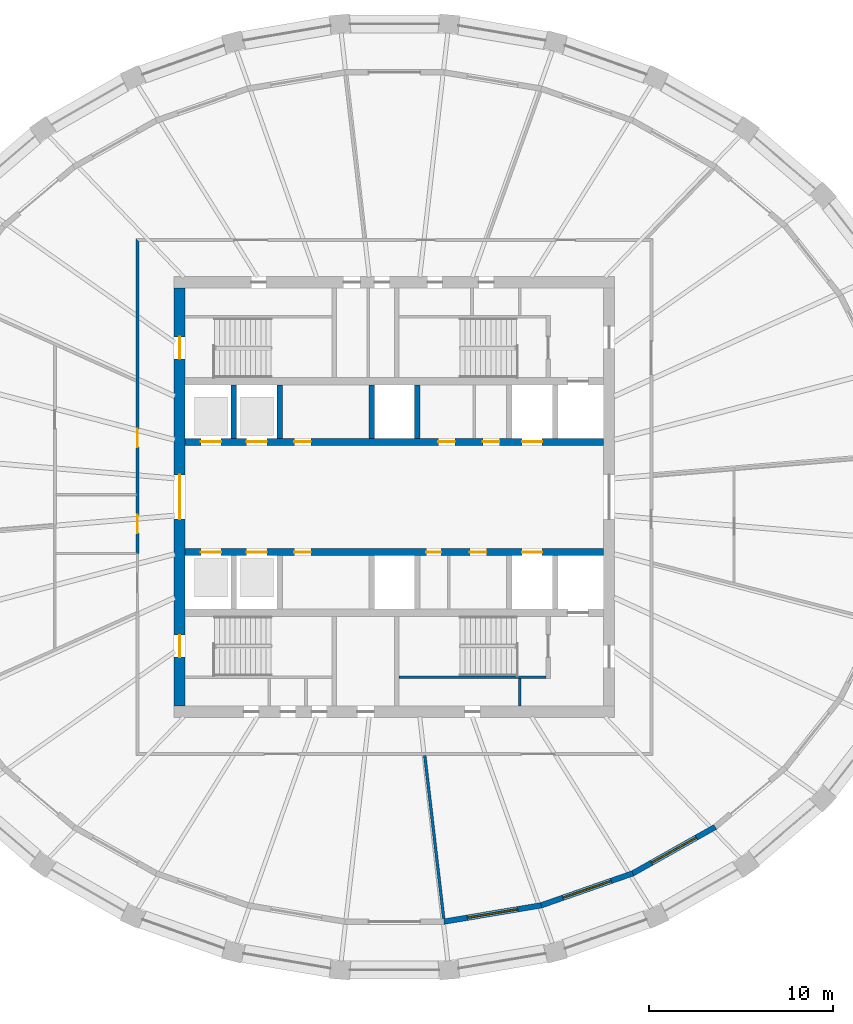
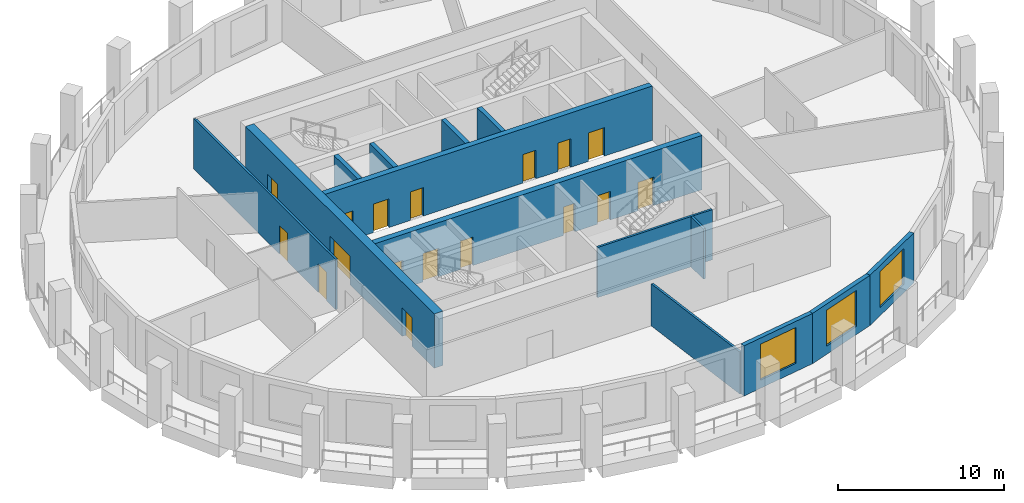
# One storey, part 4 of 10: 17 doors, 14 walls, 3 windows, 20 openings.
"""IFC4 building model written with IfcOpenShell, lengths in metres."""

from ifc_helpers import new_model, si_unit, direction, frame, frame_2d, origin, place, context, subcontext, project, spatial, polyline, rectangle, outline, extrude, material, layer, layer_set, type_object, element, fill, save


model = new_model("IFC4")

# Units and contexts
model_context = context("Model", 3, precision=1e-05, world=origin(), true_north=direction((0.0, 1.0)))
body_context = subcontext(model_context, "Body", "Model", "MODEL_VIEW")
ifc_project = project(units=[si_unit("LENGTHUNIT", "METRE"), si_unit("AREAUNIT", "SQUARE_METRE"), si_unit("VOLUMEUNIT", "CUBIC_METRE"), si_unit("PLANEANGLEUNIT", "RADIAN"), si_unit("MASSUNIT", "GRAM", prefix="KILO")], contexts=[model_context])

# Site, building, storey
site_placement = place(None, origin())
site = spatial("IfcSite", under=ifc_project, at=site_placement, CompositionType="ELEMENT")
building_placement = place(site_placement, origin())
building = spatial("IfcBuilding", under=site, at=building_placement, Name="Halqa Exchange Tower", CompositionType="ELEMENT")
storey_placement = place(building_placement, frame((0.0, 0.0, 260.300048828125)))
storey = spatial("IfcBuildingStorey", under=building, at=storey_placement, Name="L60", CompositionType="ELEMENT", Elevation=260.300048828125)

# Wall, openings, doors
ifc_material_1 = material(Name="Fire-rated gypsum board")
ifc_layer_1 = layer(ifc_material_1, 0.14990234375)
ifc_layer_set_1 = layer_set([ifc_layer_1], Name="Fire-rated gypsum board")
wall_type_1 = type_object("IfcWallType", Name="Fire partition EI 60 150", PredefinedType="PARTITIONING", material=ifc_layer_set_1)
wall_1_placement = place(storey_placement, frame((-14.0, -3.080078125, 0.0), z_axis=(0.0, 0.0, 1.0), x_axis=(0.0, 1.0, 0.0)))
wall_1 = element("IfcWall", 1, at=wall_1_placement, inside=storey, type_object=wall_type_1, Name="L60-PWL-010", PredefinedType="PARTITIONING", context=body_context, shape_type="SweptSolid", body=[
    extrude(outline(polyline([(0.0, -0.074951171875), (1.889404296875, -0.074951171875), (3.77880859375, -0.074951171875), (5.66845703125, -0.074951171875), (7.557861328125, -0.074951171875), (9.447265625, -0.074951171875), (11.336669921875, -0.074951171875), (13.226318359375, -0.074951171875), (15.11572265625, -0.074951171875), (17.005126953125, -0.074951171875), (17.155029296875, 0.074951171875), (15.2490234375, 0.074951171875), (13.3427734375, 0.074951171875), (11.436767578125, 0.074951171875), (9.530517578125, 0.074951171875), (7.62451171875, 0.074951171875), (5.71826171875, 0.074951171875), (3.812255859375, 0.074951171875), (1.906005859375, 0.074951171875), (0.0, 0.074951171875), (0.0, -0.074951171875)])), origin(), (0.0, 0.0, 1.0), 3.699951171875),
])
opening_1_placement = place(wall_1_placement, frame((5.794921875, 0.0, 0.0)))
opening_1 = element("IfcOpeningElement", 2, at=opening_1_placement, cuts=wall_1, Name="Opening 18-07", PredefinedType="OPENING", context=body_context, shape_type="SweptSolid", body=[
    extrude(rectangle(XDim=1.0, YDim=2.10009765625, at=frame_2d((0.5, 1.050048828125))), frame((0.0, 0.0869140625, 0.0), z_axis=(0.0, -1.0, 0.0), x_axis=(1.0, 0.0, 0.0)), (0.0, 0.0, 1.0), 0.173828125),
])
opening_2_placement = place(wall_1_placement, frame((1.10498046875, 0.0, 0.0)))
opening_2 = element("IfcOpeningElement", 3, at=opening_2_placement, cuts=wall_1, Name="Opening 18-08", PredefinedType="OPENING", context=body_context, shape_type="SweptSolid", body=[
    extrude(rectangle(XDim=1.0, YDim=2.10009765625, at=frame_2d((0.5, 1.050048828125))), frame((0.0, 0.0869140625, 0.0), z_axis=(0.0, -1.0, 0.0), x_axis=(1.0, 0.0, 0.0)), (0.0, 0.0, 1.0), 0.173828125),
])
ifc_material_2 = material(Name="Steel fire door leaf", Category="steel")
door_type_1 = type_object("IfcDoorType", Name="Fire door FD30S 1000 x 2100", OperationType="SINGLE_SWING_LEFT", PredefinedType="DOOR", material=ifc_material_2)
door_1_placement = place(opening_1_placement, origin())
door_1 = element("IfcDoor", 4, at=door_1_placement, inside=storey, type_object=door_type_1, Name="L60-IDR-007", OperationType="SINGLE_SWING_RIGHT", OverallHeight=2.10009765625, OverallWidth=1.0, PredefinedType="DOOR", context=body_context, shape_type="SweptSolid", body=[
    extrude(rectangle(XDim=1.0, YDim=2.10009765625, at=frame_2d((0.5, 1.050048828125))), frame((0.0, 0.02490234375, 0.0), z_axis=(0.0, -1.0, 0.0), x_axis=(1.0, 0.0, 0.0)), (0.0, 0.0, 1.0), 0.050048828125),
])
fill(opening_1, door_1)
door_2_placement = place(opening_2_placement, origin())
door_2 = element("IfcDoor", 5, at=door_2_placement, inside=storey, type_object=door_type_1, Name="L60-IDR-008", OperationType="SINGLE_SWING_LEFT", OverallHeight=2.10009765625, OverallWidth=1.0, PredefinedType="DOOR", context=body_context, shape_type="SweptSolid", body=[
    extrude(rectangle(XDim=1.0, YDim=2.10009765625, at=frame_2d((0.5, 1.050048828125))), frame((0.0, 0.02490234375, 0.0), z_axis=(0.0, -1.0, 0.0), x_axis=(1.0, 0.0, 0.0)), (0.0, 0.0, 1.0), 0.050048828125),
])
fill(opening_2, door_2)

# Walls
wall_2_placement = place(storey_placement, frame((2.68505859375, -22.9794921875, 0.0), z_axis=(0.0, 0.0, 1.0), x_axis=(-0.115608238976, 0.993294888279, 0.0)))
element("IfcWall", 6, at=wall_2_placement, inside=storey, type_object=wall_type_1, Name="L60-PWL-014", PredefinedType="PARTITIONING", context=body_context, shape_type="SweptSolid", body=[
    extrude(outline(polyline([(0.0, -0.074951171875), (1.791259765625, -0.074951171875), (3.582275390625, -0.074951171875), (5.37353515625, -0.074951171875), (7.164794921875, -0.074951171875), (8.955810546875, -0.074951171875), (8.972900390625, 0.0712890625), (8.972900390625, 0.074951171875), (7.17919921875, 0.074951171875), (5.385498046875, 0.074951171875), (3.592041015625, 0.074951171875), (1.79833984375, 0.074951171875), (0.004638671875, 0.074951171875), (0.0, 0.03466796875), (0.0, -0.074951171875)])), origin(), (0.0, 0.0, 1.0), 3.099853515625),
])
ifc_material_3 = material(Name="Gypsum board")
ifc_layer_2 = layer(ifc_material_3, 0.14990234375)
ifc_layer_set_2 = layer_set([ifc_layer_2], Name="Gypsum board")
wall_type_2 = type_object("IfcWallType", Name="Penthouse riser wall 150 gypsum", PredefinedType="PARTITIONING", material=ifc_layer_set_2)
wall_3_placement = place(storey_placement, frame((6.824951171875, -11.39990234375, 0.0), z_axis=(0.0, 0.0, 1.0), x_axis=(0.0, 1.0, 0.0)))
element("IfcWall", 7, at=wall_3_placement, inside=storey, type_object=wall_type_2, Name="Firefighting lobby west wall S", PredefinedType="PARTITIONING", context=body_context, shape_type="SweptSolid", body=[
    extrude(rectangle(XDim=1.5, YDim=0.14990234375, at=frame_2d((0.75, 0.0))), origin(), (0.0, 0.0, 1.0), 3.699951171875),
])
ifc_material_4 = material(Name="Concrete C60/75", Category="concrete")
ifc_layer_3 = layer(ifc_material_4, 0.300048828125)
ifc_layer_set_3 = layer_set([ifc_layer_3], Name="Concrete C60/75")
wall_type_3 = type_object("IfcWallType", Name="RC core wall 300", PredefinedType="SHEAR", material=ifc_layer_set_3)
for number, where, z_axis, x_axis, name in (
    (8, (-8.75, 3.199951171875, 0.0), (0.0, 0.0, 1.0), (0.0, 1.0, 0.0), "Shaft divider N1"),
    (9, (-6.25, 3.199951171875, 0.0), (0.0, 0.0, 1.0), (0.0, 1.0, 0.0), "Shaft divider N2"),
    (10, (-1.25, 3.199951171875, 0.0), (0.0, 0.0, 1.0), (0.0, 1.0, 0.0), "Shaft divider N4"),
    (11, (1.25, 3.199951171875, 0.0), (0.0, 0.0, 1.0), (0.0, 1.0, 0.0), "Shaft divider N5"),
):
    element("IfcWall", number, at=place(storey_placement, frame(where, z_axis=z_axis, x_axis=x_axis)), inside=storey, type_object=wall_type_3, Name=name, PredefinedType="SHEAR", context=body_context, shape_type="SweptSolid", body=[
        extrude(rectangle(XDim=2.900146484375, YDim=0.300048828125, at=frame_2d((1.4501953125, 0.0))), origin(), (0.0, 0.0, 1.0), 4.0),
    ])

# Wall, openings, doors
ifc_layer_4 = layer(ifc_material_4, 0.39990234375)
ifc_layer_set_4 = layer_set([ifc_layer_4], Name="Concrete C60/75")
wall_type_4 = type_object("IfcWallType", Name="RC core wall 400 C60/75", PredefinedType="SHEAR", material=ifc_layer_set_4)
wall_4_placement = place(storey_placement, frame((-11.39990234375, 3.0, 0.0), z_axis=(0.0, 0.0, 1.0), x_axis=(1.0, 0.0, 0.0)))
wall_4 = element("IfcWall", 12, at=wall_4_placement, inside=storey, type_object=wall_type_4, Name="Lift row front wall N", PredefinedType="SHEAR", context=body_context, shape_type="SweptSolid", body=[
    extrude(rectangle(XDim=22.7998046875, YDim=0.39990234375, at=frame_2d((11.39990234375, 0.0))), origin(), (0.0, 0.0, 1.0), 4.0),
])
opening_3_placement = place(wall_4_placement, frame((0.85009765625, 0.0, 0.0)))
opening_3 = element("IfcOpeningElement", 13, at=opening_3_placement, cuts=wall_4, Name="Opening LD-HR1-T18", PredefinedType="OPENING", context=body_context, shape_type="SweptSolid", body=[
    extrude(rectangle(XDim=1.10009765625, YDim=2.10009765625, at=frame_2d((0.550048828125, 1.050048828125))), frame((0.0, 0.2119140625, 0.0), z_axis=(0.0, -1.0, 0.0), x_axis=(1.0, 0.0, 0.0)), (0.0, 0.0, 1.0), 0.423828125),
])
opening_4_placement = place(wall_4_placement, frame((3.35009765625, 0.0, 0.0)))
opening_4 = element("IfcOpeningElement", 14, at=opening_4_placement, cuts=wall_4, Name="Opening LD-HR2-T18", PredefinedType="OPENING", context=body_context, shape_type="SweptSolid", body=[
    extrude(rectangle(XDim=1.10009765625, YDim=2.10009765625, at=frame_2d((0.550048828125, 1.050048828125))), frame((0.0, 0.2119140625, 0.0), z_axis=(0.0, -1.0, 0.0), x_axis=(1.0, 0.0, 0.0)), (0.0, 0.0, 1.0), 0.423828125),
])
opening_5_placement = place(wall_4_placement, frame((18.35009765625, 0.0, 0.0)))
opening_5 = element("IfcOpeningElement", 15, at=opening_5_placement, cuts=wall_4, Name="Opening LD-SV1-T18", PredefinedType="OPENING", context=body_context, shape_type="SweptSolid", body=[
    extrude(rectangle(XDim=1.10009765625, YDim=2.10009765625, at=frame_2d((0.550048828125, 1.050048828125))), frame((0.0, 0.2119140625, 0.0), z_axis=(0.0, -1.0, 0.0), x_axis=(1.0, 0.0, 0.0)), (0.0, 0.0, 1.0), 0.423828125),
])
opening_6_placement = place(wall_4_placement, frame((13.78759765625, 0.0, 0.0)))
opening_6 = element("IfcOpeningElement", 16, at=opening_6_placement, cuts=wall_4, Name="Opening T18-C27", PredefinedType="OPENING", context=body_context, shape_type="SweptSolid", body=[
    extrude(rectangle(XDim=0.89990234375, YDim=2.10009765625, at=frame_2d((0.449951171875, 1.050048828125))), frame((0.0, 0.2119140625, 0.0), z_axis=(0.0, -1.0, 0.0), x_axis=(1.0, 0.0, 0.0)), (0.0, 0.0, 1.0), 0.423828125),
])
opening_7_placement = place(wall_4_placement, frame((16.21240234375, 0.0, 0.0)))
opening_7 = element("IfcOpeningElement", 17, at=opening_7_placement, cuts=wall_4, Name="Opening T18-C28", PredefinedType="OPENING", context=body_context, shape_type="SweptSolid", body=[
    extrude(rectangle(XDim=0.89990234375, YDim=2.10009765625, at=frame_2d((0.449951171875, 1.050048828125))), frame((0.0, 0.2119140625, 0.0), z_axis=(0.0, -1.0, 0.0), x_axis=(1.0, 0.0, 0.0)), (0.0, 0.0, 1.0), 0.423828125),
])
opening_8_placement = place(wall_4_placement, frame((5.949951171875, 0.0, 0.0)))
opening_8 = element("IfcOpeningElement", 18, at=opening_8_placement, cuts=wall_4, Name="Opening T18-C29", PredefinedType="OPENING", context=body_context, shape_type="SweptSolid", body=[
    extrude(rectangle(XDim=0.89990234375, YDim=2.10009765625, at=frame_2d((0.449951171875, 1.050048828125))), frame((0.0, 0.2119140625, 0.0), z_axis=(0.0, -1.0, 0.0), x_axis=(1.0, 0.0, 0.0)), (0.0, 0.0, 1.0), 0.423828125),
])
ifc_material_5 = material(Name="Timber fire door leaf", Category="wood")
door_type_2 = type_object("IfcDoorType", Name="Core room door FD30 900 x 2100", OperationType="SINGLE_SWING_LEFT", PredefinedType="DOOR", material=ifc_material_5)
door_3_placement = place(opening_6_placement, origin())
door_3 = element("IfcDoor", 19, at=door_3_placement, inside=storey, type_object=door_type_2, Name="Core room door", OperationType="SINGLE_SWING_LEFT", OverallHeight=2.10009765625, OverallWidth=0.89990234375, PredefinedType="DOOR", context=body_context, shape_type="SweptSolid", body=[
    extrude(rectangle(XDim=0.89990234375, YDim=2.10009765625, at=frame_2d((0.449951171875, 1.050048828125))), frame((0.0, 0.02490234375, 0.0), z_axis=(0.0, -1.0, 0.0), x_axis=(1.0, 0.0, 0.0)), (0.0, 0.0, 1.0), 0.050048828125),
])
fill(opening_6, door_3)
door_4_placement = place(opening_7_placement, origin())
door_4 = element("IfcDoor", 20, at=door_4_placement, inside=storey, type_object=door_type_2, Name="Core room door", OperationType="SINGLE_SWING_RIGHT", OverallHeight=2.10009765625, OverallWidth=0.89990234375, PredefinedType="DOOR", context=body_context, shape_type="SweptSolid", body=[
    extrude(rectangle(XDim=0.89990234375, YDim=2.10009765625, at=frame_2d((0.449951171875, 1.050048828125))), frame((0.0, 0.02490234375, 0.0), z_axis=(0.0, -1.0, 0.0), x_axis=(1.0, 0.0, 0.0)), (0.0, 0.0, 1.0), 0.050048828125),
])
fill(opening_7, door_4)
door_5_placement = place(opening_8_placement, origin())
door_5 = element("IfcDoor", 21, at=door_5_placement, inside=storey, type_object=door_type_2, Name="Core room door", OperationType="SINGLE_SWING_RIGHT", OverallHeight=2.10009765625, OverallWidth=0.89990234375, PredefinedType="DOOR", context=body_context, shape_type="SweptSolid", body=[
    extrude(rectangle(XDim=0.89990234375, YDim=2.10009765625, at=frame_2d((0.449951171875, 1.050048828125))), frame((0.0, 0.02490234375, 0.0), z_axis=(0.0, -1.0, 0.0), x_axis=(1.0, 0.0, 0.0)), (0.0, 0.0, 1.0), 0.050048828125),
])
fill(opening_8, door_5)
ifc_material_6 = material(Name="Stainless steel", Category="steel")
door_type_3 = type_object("IfcDoorType", Name="Lift landing door 1100 x 2100", OperationType="SLIDING_TO_LEFT", PredefinedType="DOOR", material=ifc_material_6)
door_6_placement = place(opening_3_placement, origin())
door_6 = element("IfcDoor", 22, at=door_6_placement, inside=storey, type_object=door_type_3, Name="Lift landing door HR1", OperationType="SLIDING_TO_LEFT", OverallHeight=2.10009765625, OverallWidth=1.10009765625, PredefinedType="DOOR", context=body_context, shape_type="SweptSolid", body=[
    extrude(rectangle(XDim=1.10009765625, YDim=2.10009765625, at=frame_2d((0.550048828125, 1.050048828125))), frame((0.0, 0.02490234375, 0.0), z_axis=(0.0, -1.0, 0.0), x_axis=(1.0, 0.0, 0.0)), (0.0, 0.0, 1.0), 0.050048828125),
])
fill(opening_3, door_6)
door_7_placement = place(opening_4_placement, origin())
door_7 = element("IfcDoor", 23, at=door_7_placement, inside=storey, type_object=door_type_3, Name="Lift landing door HR2", OperationType="SLIDING_TO_LEFT", OverallHeight=2.10009765625, OverallWidth=1.10009765625, PredefinedType="DOOR", context=body_context, shape_type="SweptSolid", body=[
    extrude(rectangle(XDim=1.10009765625, YDim=2.10009765625, at=frame_2d((0.550048828125, 1.050048828125))), frame((0.0, 0.02490234375, 0.0), z_axis=(0.0, -1.0, 0.0), x_axis=(1.0, 0.0, 0.0)), (0.0, 0.0, 1.0), 0.050048828125),
])
fill(opening_4, door_7)
door_8_placement = place(opening_5_placement, origin())
door_8 = element("IfcDoor", 24, at=door_8_placement, inside=storey, type_object=door_type_3, Name="Lift landing door SV1", OperationType="SLIDING_TO_LEFT", OverallHeight=2.10009765625, OverallWidth=1.10009765625, PredefinedType="DOOR", context=body_context, shape_type="SweptSolid", body=[
    extrude(rectangle(XDim=1.10009765625, YDim=2.10009765625, at=frame_2d((0.550048828125, 1.050048828125))), frame((0.0, 0.02490234375, 0.0), z_axis=(0.0, -1.0, 0.0), x_axis=(1.0, 0.0, 0.0)), (0.0, 0.0, 1.0), 0.050048828125),
])
fill(opening_5, door_8)

wall_5_placement = place(storey_placement, frame((-11.39990234375, -3.0, 0.0), z_axis=(0.0, 0.0, 1.0), x_axis=(1.0, 0.0, 0.0)))
wall_5 = element("IfcWall", 25, at=wall_5_placement, inside=storey, type_object=wall_type_4, Name="Lift row front wall S", PredefinedType="SHEAR", context=body_context, shape_type="SweptSolid", body=[
    extrude(rectangle(XDim=22.7998046875, YDim=0.39990234375, at=frame_2d((11.39990234375, 0.0))), origin(), (0.0, 0.0, 1.0), 4.0),
])
opening_9_placement = place(wall_5_placement, frame((0.85009765625, 0.0, 0.0)))
opening_9 = element("IfcOpeningElement", 26, at=opening_9_placement, cuts=wall_5, Name="Opening LD-HR3-T18", PredefinedType="OPENING", context=body_context, shape_type="SweptSolid", body=[
    extrude(rectangle(XDim=1.10009765625, YDim=2.10009765625, at=frame_2d((0.550048828125, 1.050048828125))), frame((0.0, 0.2119140625, 0.0), z_axis=(0.0, -1.0, 0.0), x_axis=(1.0, 0.0, 0.0)), (0.0, 0.0, 1.0), 0.423828125),
])
opening_10_placement = place(wall_5_placement, frame((3.35009765625, 0.0, 0.0)))
opening_10 = element("IfcOpeningElement", 27, at=opening_10_placement, cuts=wall_5, Name="Opening LD-HR4-T18", PredefinedType="OPENING", context=body_context, shape_type="SweptSolid", body=[
    extrude(rectangle(XDim=1.10009765625, YDim=2.10009765625, at=frame_2d((0.550048828125, 1.050048828125))), frame((0.0, 0.2119140625, 0.0), z_axis=(0.0, -1.0, 0.0), x_axis=(1.0, 0.0, 0.0)), (0.0, 0.0, 1.0), 0.423828125),
])
opening_11_placement = place(wall_5_placement, frame((18.35009765625, 0.0, 0.0)))
opening_11 = element("IfcOpeningElement", 28, at=opening_11_placement, cuts=wall_5, Name="Opening LD-SV2-T18", PredefinedType="OPENING", context=body_context, shape_type="SweptSolid", body=[
    extrude(rectangle(XDim=1.10009765625, YDim=2.10009765625, at=frame_2d((0.550048828125, 1.050048828125))), frame((0.0, 0.2119140625, 0.0), z_axis=(0.0, -1.0, 0.0), x_axis=(1.0, 0.0, 0.0)), (0.0, 0.0, 1.0), 0.423828125),
])
opening_12_placement = place(wall_5_placement, frame((13.137451171875, 0.0, 0.0)))
opening_12 = element("IfcOpeningElement", 29, at=opening_12_placement, cuts=wall_5, Name="Opening T18-C30", PredefinedType="OPENING", context=body_context, shape_type="SweptSolid", body=[
    extrude(rectangle(XDim=0.800048828125, YDim=2.10009765625, at=frame_2d((0.39990234375, 1.050048828125))), frame((0.0, 0.2119140625, 0.0), z_axis=(0.0, -1.0, 0.0), x_axis=(1.0, 0.0, 0.0)), (0.0, 0.0, 1.0), 0.423828125),
])
opening_13_placement = place(wall_5_placement, frame((15.512451171875, 0.0, 0.0)))
opening_13 = element("IfcOpeningElement", 30, at=opening_13_placement, cuts=wall_5, Name="Opening T18-C31", PredefinedType="OPENING", context=body_context, shape_type="SweptSolid", body=[
    extrude(rectangle(XDim=0.89990234375, YDim=2.10009765625, at=frame_2d((0.449951171875, 1.050048828125))), frame((0.0, 0.2119140625, 0.0), z_axis=(0.0, -1.0, 0.0), x_axis=(1.0, 0.0, 0.0)), (0.0, 0.0, 1.0), 0.423828125),
])
opening_14_placement = place(wall_5_placement, frame((5.949951171875, 0.0, 0.0)))
opening_14 = element("IfcOpeningElement", 31, at=opening_14_placement, cuts=wall_5, Name="Opening T18-C32", PredefinedType="OPENING", context=body_context, shape_type="SweptSolid", body=[
    extrude(rectangle(XDim=0.89990234375, YDim=2.10009765625, at=frame_2d((0.449951171875, 1.050048828125))), frame((0.0, 0.2119140625, 0.0), z_axis=(0.0, -1.0, 0.0), x_axis=(1.0, 0.0, 0.0)), (0.0, 0.0, 1.0), 0.423828125),
])
door_9_placement = place(opening_13_placement, frame((0.89990234375, 0.0, 0.0), z_axis=(0.0, 0.0, 1.0), x_axis=(-1.0, 0.0, 0.0)))
door_9 = element("IfcDoor", 32, at=door_9_placement, inside=storey, type_object=door_type_2, Name="Core room door", OperationType="SINGLE_SWING_RIGHT", OverallHeight=2.10009765625, OverallWidth=0.89990234375, PredefinedType="DOOR", context=body_context, shape_type="SweptSolid", body=[
    extrude(rectangle(XDim=0.89990234375, YDim=2.10009765625, at=frame_2d((0.449951171875, 1.050048828125))), frame((0.0, 0.02490234375, 0.0), z_axis=(0.0, -1.0, 0.0), x_axis=(1.0, 0.0, 0.0)), (0.0, 0.0, 1.0), 0.050048828125),
])
fill(opening_13, door_9)
door_10_placement = place(opening_14_placement, frame((0.89990234375, 0.0, 0.0), z_axis=(0.0, 0.0, 1.0), x_axis=(-1.0, 0.0, 0.0)))
door_10 = element("IfcDoor", 33, at=door_10_placement, inside=storey, type_object=door_type_2, Name="Core room door", OperationType="SINGLE_SWING_LEFT", OverallHeight=2.10009765625, OverallWidth=0.89990234375, PredefinedType="DOOR", context=body_context, shape_type="SweptSolid", body=[
    extrude(rectangle(XDim=0.89990234375, YDim=2.10009765625, at=frame_2d((0.449951171875, 1.050048828125))), frame((0.0, 0.02490234375, 0.0), z_axis=(0.0, -1.0, 0.0), x_axis=(1.0, 0.0, 0.0)), (0.0, 0.0, 1.0), 0.050048828125),
])
fill(opening_14, door_10)
door_11_placement = place(opening_9_placement, origin())
door_11 = element("IfcDoor", 34, at=door_11_placement, inside=storey, type_object=door_type_3, Name="Lift landing door HR3", OperationType="SLIDING_TO_LEFT", OverallHeight=2.10009765625, OverallWidth=1.10009765625, PredefinedType="DOOR", context=body_context, shape_type="SweptSolid", body=[
    extrude(rectangle(XDim=1.10009765625, YDim=2.10009765625, at=frame_2d((0.550048828125, 1.050048828125))), frame((0.0, 0.02490234375, 0.0), z_axis=(0.0, -1.0, 0.0), x_axis=(1.0, 0.0, 0.0)), (0.0, 0.0, 1.0), 0.050048828125),
])
fill(opening_9, door_11)
door_12_placement = place(opening_10_placement, origin())
door_12 = element("IfcDoor", 35, at=door_12_placement, inside=storey, type_object=door_type_3, Name="Lift landing door HR4", OperationType="SLIDING_TO_LEFT", OverallHeight=2.10009765625, OverallWidth=1.10009765625, PredefinedType="DOOR", context=body_context, shape_type="SweptSolid", body=[
    extrude(rectangle(XDim=1.10009765625, YDim=2.10009765625, at=frame_2d((0.550048828125, 1.050048828125))), frame((0.0, 0.02490234375, 0.0), z_axis=(0.0, -1.0, 0.0), x_axis=(1.0, 0.0, 0.0)), (0.0, 0.0, 1.0), 0.050048828125),
])
fill(opening_10, door_12)
door_13_placement = place(opening_11_placement, origin())
door_13 = element("IfcDoor", 36, at=door_13_placement, inside=storey, type_object=door_type_3, Name="Lift landing door SV2", OperationType="SLIDING_TO_LEFT", OverallHeight=2.10009765625, OverallWidth=1.10009765625, PredefinedType="DOOR", context=body_context, shape_type="SweptSolid", body=[
    extrude(rectangle(XDim=1.10009765625, YDim=2.10009765625, at=frame_2d((0.550048828125, 1.050048828125))), frame((0.0, 0.02490234375, 0.0), z_axis=(0.0, -1.0, 0.0), x_axis=(1.0, 0.0, 0.0)), (0.0, 0.0, 1.0), 0.050048828125),
])
fill(opening_11, door_13)
door_type_4 = type_object("IfcDoorType", Name="Riser door FD60 800 x 2100", OperationType="SINGLE_SWING_LEFT", PredefinedType="DOOR", material=ifc_material_2)
door_14_placement = place(opening_12_placement, frame((0.800048828125, 0.0, 0.0), z_axis=(0.0, 0.0, 1.0), x_axis=(-1.0, 0.0, 0.0)))
door_14 = element("IfcDoor", 37, at=door_14_placement, inside=storey, type_object=door_type_4, Name="Core room door", OperationType="SINGLE_SWING_RIGHT", OverallHeight=2.10009765625, OverallWidth=0.800048828125, PredefinedType="DOOR", context=body_context, shape_type="SweptSolid", body=[
    extrude(rectangle(XDim=0.800048828125, YDim=2.10009765625, at=frame_2d((0.39990234375, 1.050048828125))), frame((0.0, 0.02490234375, 0.0), z_axis=(0.0, -1.0, 0.0), x_axis=(1.0, 0.0, 0.0)), (0.0, 0.0, 1.0), 0.050048828125),
])
fill(opening_12, door_14)

ifc_layer_5 = layer(ifc_material_4, 0.60009765625)
ifc_layer_set_5 = layer_set([ifc_layer_5], Name="Concrete C60/75")
wall_type_5 = type_object("IfcWallType", Name="RC core wall 600 C60/75", PredefinedType="SHEAR", material=ifc_layer_set_5)
wall_6_placement = place(storey_placement, frame((-11.699951171875, -11.39990234375, 0.0), z_axis=(0.0, 0.0, 1.0), x_axis=(0.0, 1.0, 0.0)))
wall_6 = element("IfcWall", 38, at=wall_6_placement, inside=storey, type_object=wall_type_5, Name="Core wall west", PredefinedType="SHEAR", context=body_context, shape_type="SweptSolid", body=[
    extrude(rectangle(XDim=22.7998046875, YDim=0.60009765625, at=frame_2d((11.39990234375, 0.0))), origin(), (0.0, 0.0, 1.0), 4.0),
])
opening_15_placement = place(wall_6_placement, frame((10.199951171875, 0.0, 0.0)))
opening_15 = element("IfcOpeningElement", 39, at=opening_15_placement, cuts=wall_6, Name="Opening T18-C09", PredefinedType="OPENING", context=body_context, shape_type="SweptSolid", body=[
    extrude(rectangle(XDim=2.39990234375, YDim=2.10009765625, at=frame_2d((1.199951171875, 1.050048828125))), frame((0.0, 0.31201171875, 0.0), z_axis=(0.0, -1.0, 0.0), x_axis=(1.0, 0.0, 0.0)), (0.0, 0.0, 1.0), 0.6240234375),
])
opening_16_placement = place(wall_6_placement, frame((18.925048828125, 0.0, 0.0)))
opening_16 = element("IfcOpeningElement", 40, at=opening_16_placement, cuts=wall_6, Name="Opening T18-C11", PredefinedType="OPENING", context=body_context, shape_type="SweptSolid", body=[
    extrude(rectangle(XDim=1.199951171875, YDim=2.10009765625, at=frame_2d((0.60009765625, 1.050048828125))), frame((0.0, 0.31201171875, 0.0), z_axis=(0.0, -1.0, 0.0), x_axis=(1.0, 0.0, 0.0)), (0.0, 0.0, 1.0), 0.6240234375),
])
opening_17_placement = place(wall_6_placement, frame((2.675048828125, 0.0, 0.0)))
opening_17 = element("IfcOpeningElement", 41, at=opening_17_placement, cuts=wall_6, Name="Opening T18-C13", PredefinedType="OPENING", context=body_context, shape_type="SweptSolid", body=[
    extrude(rectangle(XDim=1.199951171875, YDim=2.10009765625, at=frame_2d((0.60009765625, 1.050048828125))), frame((0.0, 0.31201171875, 0.0), z_axis=(0.0, -1.0, 0.0), x_axis=(1.0, 0.0, 0.0)), (0.0, 0.0, 1.0), 0.6240234375),
])
door_type_5 = type_object("IfcDoorType", Name="Lobby double door FD60 2400 x 2100", OperationType="DOUBLE_DOOR_SINGLE_SWING", PredefinedType="DOOR", material=ifc_material_2)
door_15_placement = place(opening_15_placement, frame((2.39990234375, 0.0, 0.0), z_axis=(0.0, 0.0, 1.0), x_axis=(-1.0, 0.0, 0.0)))
door_15 = element("IfcDoor", 42, at=door_15_placement, inside=storey, type_object=door_type_5, Name="Lift lobby double door", OperationType="DOUBLE_DOOR_SINGLE_SWING", OverallHeight=2.10009765625, OverallWidth=2.39990234375, PredefinedType="DOOR", context=body_context, shape_type="SweptSolid", body=[
    extrude(rectangle(XDim=2.39990234375, YDim=2.10009765625, at=frame_2d((1.199951171875, 1.050048828125))), frame((0.0, 0.02490234375, 0.0), z_axis=(0.0, -1.0, 0.0), x_axis=(1.0, 0.0, 0.0)), (0.0, 0.0, 1.0), 0.050048828125),
])
fill(opening_15, door_15)
door_type_6 = type_object("IfcDoorType", Name="Stair door FD90 1200 x 2100", OperationType="SINGLE_SWING_LEFT", PredefinedType="DOOR", material=ifc_material_2)
door_16_placement = place(opening_16_placement, frame((1.199951171875, 0.0, 0.0), z_axis=(0.0, 0.0, 1.0), x_axis=(-1.0, 0.0, 0.0)))
door_16 = element("IfcDoor", 43, at=door_16_placement, inside=storey, type_object=door_type_6, Name="Stair door ST1", OperationType="SINGLE_SWING_RIGHT", OverallHeight=2.10009765625, OverallWidth=1.199951171875, PredefinedType="DOOR", context=body_context, shape_type="SweptSolid", body=[
    extrude(rectangle(XDim=1.199951171875, YDim=2.10009765625, at=frame_2d((0.60009765625, 1.050048828125))), frame((0.0, 0.02490234375, 0.0), z_axis=(0.0, -1.0, 0.0), x_axis=(1.0, 0.0, 0.0)), (0.0, 0.0, 1.0), 0.050048828125),
])
fill(opening_16, door_16)
door_17_placement = place(opening_17_placement, frame((1.199951171875, 0.0, 0.0), z_axis=(0.0, 0.0, 1.0), x_axis=(-1.0, 0.0, 0.0)))
door_17 = element("IfcDoor", 44, at=door_17_placement, inside=storey, type_object=door_type_6, Name="Stair door ST3", OperationType="SINGLE_SWING_RIGHT", OverallHeight=2.10009765625, OverallWidth=1.199951171875, PredefinedType="DOOR", context=body_context, shape_type="SweptSolid", body=[
    extrude(rectangle(XDim=1.199951171875, YDim=2.10009765625, at=frame_2d((0.60009765625, 1.050048828125))), frame((0.0, 0.02490234375, 0.0), z_axis=(0.0, -1.0, 0.0), x_axis=(1.0, 0.0, 0.0)), (0.0, 0.0, 1.0), 0.050048828125),
])
fill(opening_17, door_17)

# Wall
ifc_material_7 = material(Name="Concrete C30/37", Category="concrete")
ifc_layer_6 = layer(ifc_material_7, 0.14990234375)
ifc_layer_set_6 = layer_set([ifc_layer_6], Name="Concrete C30/37")
wall_type_6 = type_object("IfcWallType", Name="RC stair wall 150 C30/37", PredefinedType="SHEAR", material=ifc_layer_set_6)
wall_7_placement = place(storey_placement, frame((0.25, -9.824951171875, 0.0), z_axis=(0.0, 0.0, 1.0), x_axis=(1.0, 0.0, 0.0)))
element("IfcWall", 45, at=wall_7_placement, inside=storey, type_object=wall_type_6, Name="Stair ST2 north wall S", PredefinedType="SHEAR", context=body_context, shape_type="SweptSolid", body=[
    extrude(rectangle(XDim=8.0, YDim=0.14990234375, at=frame_2d((4.0, 0.0))), origin(), (0.0, 0.0, 1.0), 3.699951171875),
])

# Wall, opening, window
ifc_material_8 = material(Name="Limestone cladding", Category="masonry")
ifc_layer_7 = layer(ifc_material_8, 0.0400390625)
ifc_material_9 = material(Name="Ventilated cavity")
ifc_layer_8 = layer(ifc_material_9, 0.030029296875, ventilated=True)
ifc_material_10 = material(Name="Mineral wool insulation")
ifc_layer_9 = layer(ifc_material_10, 0.10009765625)
ifc_layer_10 = layer(ifc_material_7, 0.10009765625)
ifc_material_11 = material(Name="Internal plaster")
ifc_layer_11 = layer(ifc_material_11, 0.030029296875)
ifc_layer_set_7 = layer_set([ifc_layer_7, ifc_layer_8, ifc_layer_9, ifc_layer_10, ifc_layer_11], Name="Stone-faced insulated wall 300")
wall_type_7 = type_object("IfcWallType", Name="Stone-faced insulated wall 300", PredefinedType="STANDARD", material=ifc_layer_set_7)
wall_8_placement = place(storey_placement, frame((2.69921875, -23.133544921875, 0.0), z_axis=(0.0, 0.0, 1.0), x_axis=(0.986243571741, 0.165298569867, 0.0)))
wall_8 = element("IfcWall", 46, at=wall_8_placement, inside=storey, type_object=wall_type_7, Name="Glass-line wall 25", PredefinedType="STANDARD", context=body_context, shape_type="SweptSolid", body=[
    extrude(outline(polyline([(-0.012451171875, -0.14990234375), (5.381591796875, -0.14990234375), (5.356201171875, 0.14990234375), (0.012451171875, 0.14990234375), (-0.012451171875, -0.14990234375)])), origin(), (0.0, 0.0, 1.0), 3.699951171875),
])
opening_18_placement = place(wall_8_placement, frame((1.284423828125, 0.0, 0.60009765625)))
opening_18 = element("IfcOpeningElement", 47, at=opening_18_placement, cuts=wall_8, Name="Opening W-F4-25", PredefinedType="OPENING", context=body_context, shape_type="SweptSolid", body=[
    extrude(rectangle(XDim=2.800048828125, YDim=2.64990234375, at=frame_2d((1.39990234375, 1.324951171875))), frame((0.0, 0.162109375, 0.0), z_axis=(0.0, -1.0, 0.0), x_axis=(1.0, 0.0, 0.0)), (0.0, 0.0, 1.0), 0.323974609375),
])
ifc_material_12 = material(Name="Clear low-emissivity glass in aluminium frame", Category="aluminium")
window_type = type_object("IfcWindowType", Name="Fixed clear glazed window 2800 x 2650", PartitioningType="DOUBLE_PANEL_VERTICAL", PredefinedType="WINDOW", material=ifc_material_12)
window_1_placement = place(opening_18_placement, origin())
window_1 = element("IfcWindow", 48, at=window_1_placement, inside=storey, type_object=window_type, Name="Window 4", OverallHeight=2.64990234375, OverallWidth=2.800048828125, PartitioningType="DOUBLE_PANEL_VERTICAL", PredefinedType="WINDOW", context=body_context, shape_type="SweptSolid", body=[
    extrude(rectangle(XDim=2.800048828125, YDim=2.64990234375, at=frame_2d((1.39990234375, 1.324951171875))), frame((0.0, 0.030029296875, 0.0), z_axis=(0.0, -1.0, 0.0), x_axis=(1.0, 0.0, 0.0)), (0.0, 0.0, 1.0), 0.06005859375),
])
fill(opening_18, window_1)

wall_9_placement = place(storey_placement, frame((7.994140625, -22.24609375, 0.0), z_axis=(0.0, 0.0, 1.0), x_axis=(0.944149712872, 0.32951679727, 0.0)))
wall_9 = element("IfcWall", 49, at=wall_9_placement, inside=storey, type_object=wall_type_7, Name="Glass-line wall 26", PredefinedType="STANDARD", context=body_context, shape_type="SweptSolid", body=[
    extrude(outline(polyline([(-0.0126953125, -0.14990234375), (5.297607421875, -0.14990234375), (5.270751953125, 0.14990234375), (0.0126953125, 0.14990234375), (-0.0126953125, -0.14990234375)])), origin(), (0.0, 0.0, 1.0), 3.699951171875),
])
opening_19_placement = place(wall_9_placement, frame((1.241943359375, 0.0, 0.60009765625)))
opening_19 = element("IfcOpeningElement", 50, at=opening_19_placement, cuts=wall_9, Name="Opening W-F4-26", PredefinedType="OPENING", context=body_context, shape_type="SweptSolid", body=[
    extrude(rectangle(XDim=2.800048828125, YDim=2.64990234375, at=frame_2d((1.39990234375, 1.324951171875))), frame((0.0, 0.162109375, 0.0), z_axis=(0.0, -1.0, 0.0), x_axis=(1.0, 0.0, 0.0)), (0.0, 0.0, 1.0), 0.323974609375),
])
window_2_placement = place(opening_19_placement, origin())
window_2 = element("IfcWindow", 51, at=window_2_placement, inside=storey, type_object=window_type, Name="Window 4", OverallHeight=2.64990234375, OverallWidth=2.800048828125, PartitioningType="DOUBLE_PANEL_VERTICAL", PredefinedType="WINDOW", context=body_context, shape_type="SweptSolid", body=[
    extrude(rectangle(XDim=2.800048828125, YDim=2.64990234375, at=frame_2d((1.39990234375, 1.324951171875))), frame((0.0, 0.030029296875, 0.0), z_axis=(0.0, -1.0, 0.0), x_axis=(1.0, 0.0, 0.0)), (0.0, 0.0, 1.0), 0.06005859375),
])
fill(opening_19, window_2)

wall_10_placement = place(storey_placement, frame((12.983154296875, -20.5048828125, 0.0), z_axis=(0.0, 0.0, 1.0), x_axis=(0.871411047742, 0.490553550465, 0.0)))
wall_10 = element("IfcWall", 52, at=wall_10_placement, inside=storey, type_object=wall_type_7, Name="Glass-line wall 27", PredefinedType="STANDARD", context=body_context, shape_type="SweptSolid", body=[
    extrude(outline(polyline([(-0.013427734375, -0.14990234375), (5.168701171875, -0.14990234375), (5.140380859375, 0.14990234375), (0.013427734375, 0.14990234375), (-0.013427734375, -0.14990234375)])), origin(), (0.0, 0.0, 1.0), 3.699951171875),
])
opening_20_placement = place(wall_10_placement, frame((1.17724609375, 0.0, 0.60009765625)))
opening_20 = element("IfcOpeningElement", 53, at=opening_20_placement, cuts=wall_10, Name="Opening W-F4-27", PredefinedType="OPENING", context=body_context, shape_type="SweptSolid", body=[
    extrude(rectangle(XDim=2.800048828125, YDim=2.64990234375, at=frame_2d((1.39990234375, 1.324951171875))), frame((0.0, 0.162109375, 0.0), z_axis=(0.0, -1.0, 0.0), x_axis=(1.0, 0.0, 0.0)), (0.0, 0.0, 1.0), 0.323974609375),
])
window_3_placement = place(opening_20_placement, origin())
window_3 = element("IfcWindow", 54, at=window_3_placement, inside=storey, type_object=window_type, Name="Window 4", OverallHeight=2.64990234375, OverallWidth=2.800048828125, PartitioningType="DOUBLE_PANEL_VERTICAL", PredefinedType="WINDOW", context=body_context, shape_type="SweptSolid", body=[
    extrude(rectangle(XDim=2.800048828125, YDim=2.64990234375, at=frame_2d((1.39990234375, 1.324951171875))), frame((0.0, 0.030029296875, 0.0), z_axis=(0.0, -1.0, 0.0), x_axis=(1.0, 0.0, 0.0)), (0.0, 0.0, 1.0), 0.06005859375),
])
fill(opening_20, window_3)

save(model, "model.ifc")
